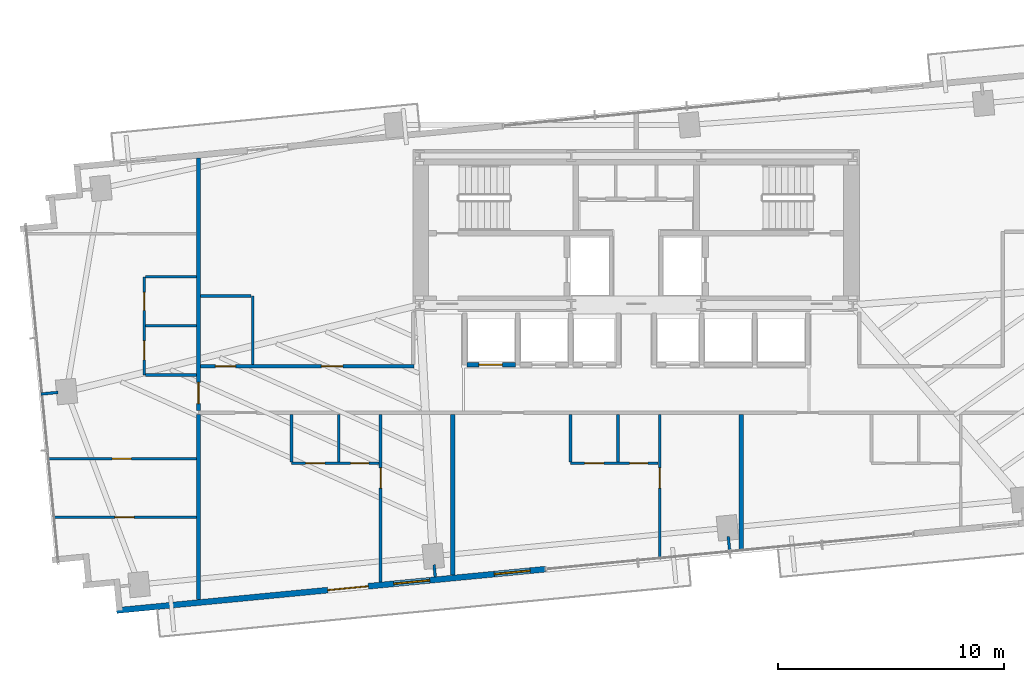
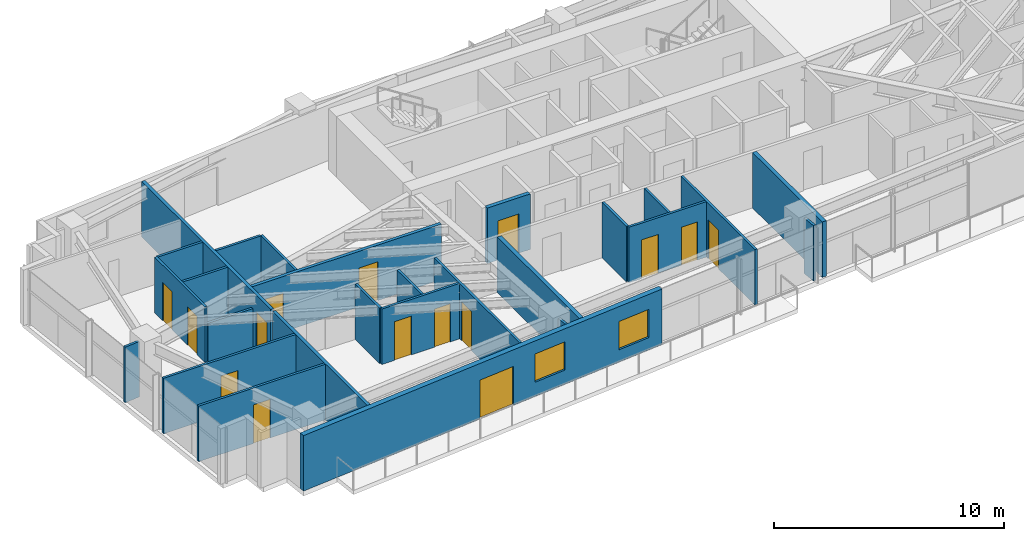
# One storey, part 21 of 27: 26 walls, 15 doors, 2 windows, 17 openings.
"""IFC4 building model written with IfcOpenShell, lengths in metres."""

from ifc_helpers import new_model, si_unit, direction, frame, frame_2d, origin, place, context, subcontext, project, spatial, rectangle, extrude, source, transform, mapped, material, layer, layer_set, type_object, type_shapes, element, fill, save


model = new_model("IFC4")

# Units and contexts
model_context = context("Model", 3, precision=1e-05, world=origin(), true_north=direction((0.0, 1.0)))
body_context = subcontext(model_context, "Body", "Model", "MODEL_VIEW")
ifc_project = project(units=[si_unit("LENGTHUNIT", "METRE"), si_unit("AREAUNIT", "SQUARE_METRE"), si_unit("VOLUMEUNIT", "CUBIC_METRE"), si_unit("PLANEANGLEUNIT", "RADIAN"), si_unit("MASSUNIT", "GRAM", prefix="KILO")], contexts=[model_context])

# Site, building, storey
site_placement = place(None, origin())
site = spatial("IfcSite", under=ifc_project, at=site_placement, CompositionType="ELEMENT")
building_placement = place(site_placement, origin())
building = spatial("IfcBuilding", under=site, at=building_placement, Name="Astriad Promenade Condominiums", CompositionType="ELEMENT")
storey_placement = place(building_placement, frame((0.0, 0.0, 97.0)))
storey = spatial("IfcBuildingStorey", under=building, at=storey_placement, Name="L27", CompositionType="ELEMENT", Elevation=97.0)

# Wall
ifc_material_1 = material(Name="Fire-Rated Gypsum Partition")
ifc_layer_1 = layer(ifc_material_1, 0.159912109375)
ifc_layer_set_1 = layer_set([ifc_layer_1], Name="Fire-Rated Gypsum Partition")
wall_type_1 = type_object("IfcWallType", Name="WALL-CORR-160", PredefinedType="PARTITIONING", material=ifc_layer_set_1)
wall_1_placement = place(storey_placement, frame((16.60009765625, 4.3408203125, 0.0), z_axis=(0.0, 0.0, 1.0), x_axis=(0.0, 1.0, 0.0)))
element("IfcWall", 1, at=wall_1_placement, inside=storey, type_object=wall_type_1, Name="PT-COR-W-L27", PredefinedType="PARTITIONING", context=body_context, shape_type="SweptSolid", body=[
    extrude(rectangle(XDim=8.207275390625, YDim=0.159912109375, at=frame_2d((4.103515625, 0.0))), origin(), (0.0, 0.0, 1.0), 2.93994140625),
])

# Wall, opening, door
wall_2_placement = place(storey_placement, frame((16.60009765625, 12.7119140625, 0.0), z_axis=(0.0, 0.0, 1.0), x_axis=(0.0, 1.0, 0.0)))
wall_2 = element("IfcWall", 2, at=wall_2_placement, inside=storey, type_object=wall_type_1, Name="PT-COR-W-L27-S2", PredefinedType="PARTITIONING", context=body_context, shape_type="SweptSolid", body=[
    extrude(rectangle(XDim=11.195068359375, YDim=0.159912109375, at=frame_2d((5.59765625, 0.0))), origin(), (0.0, 0.0, 1.0), 2.93994140625),
])
opening_1_placement = place(wall_2_placement, frame((0.31201171875, 0.0, 0.0)))
opening_1 = element("IfcOpeningElement", 3, at=opening_1_placement, cuts=wall_2, Name="Opening FD60-APT-095", PredefinedType="OPENING", context=body_context, shape_type="SweptSolid", body=[
    extrude(rectangle(XDim=0.949951171875, YDim=2.06005859375, at=frame_2d((0.47509765625, 1.030029296875))), frame((0.0, 0.08984375, 0.0), z_axis=(0.0, -1.0, 0.0), x_axis=(1.0, 0.0, 0.0)), (0.0, 0.0, 1.0), 0.179931640625),
])
ifc_material_2 = material(Name="Solid-Core Acoustic Timber Residence Entry Door", Category="wood")
door_type_1 = type_object("IfcDoorType", Name="FD60-APT-095", OperationType="NOTDEFINED", PredefinedType="DOOR", material=ifc_material_2)
shared_shape_1 = source(origin(), body_context, "Body", "SweptSolid", [
    extrude(rectangle(XDim=0.949951171875, YDim=2.06005859375, at=frame_2d((0.47509765625, 1.030029296875))), frame((0.0, 0.02490234375, 0.0), z_axis=(0.0, -1.0, 0.0), x_axis=(1.0, 0.0, 0.0)), (0.0, 0.0, 1.0), 0.050048828125),
])
type_shapes(door_type_1, [shared_shape_1])
door_1_placement = place(opening_1_placement, origin())
door_1 = element("IfcDoor", 4, at=door_1_placement, inside=storey, type_object=door_type_1, Name="D-ENT-L27-W1", OperationType="SINGLE_SWING_LEFT", OverallHeight=2.06005859375, OverallWidth=0.949951171875, PredefinedType="DOOR", context=body_context, shape_type="MappedRepresentation", body=[
    mapped(shared_shape_1, transform((0.0, 0.0, 0.0), scale=1.0)),
])
fill(opening_1, door_1)

# Wall, openings, doors
wall_3_placement = place(storey_placement, frame((16.681884765625, 14.679931640625, 0.0), z_axis=(0.0, 0.0, 1.0), x_axis=(1.0, 0.0, 0.0)))
wall_3 = element("IfcWall", 5, at=wall_3_placement, inside=storey, type_object=wall_type_1, Name="PT-FLK-NW-L27", PredefinedType="PARTITIONING", context=body_context, shape_type="SweptSolid", body=[
    extrude(rectangle(XDim=9.47802734375, YDim=0.159912109375, at=frame_2d((4.739013671875, 0.0))), origin(), (0.0, 0.0, 1.0), 2.93994140625),
])
opening_2_placement = place(wall_3_placement, frame((0.66796875, 0.0, 0.0)))
opening_2 = element("IfcOpeningElement", 6, at=opening_2_placement, cuts=wall_3, Name="Opening D-INT-090", PredefinedType="OPENING", context=body_context, shape_type="SweptSolid", body=[
    extrude(rectangle(XDim=0.89990234375, YDim=2.050048828125, at=frame_2d((0.449951171875, 1.02490234375))), frame((0.0, 0.08984375, 0.0), z_axis=(0.0, -1.0, 0.0), x_axis=(1.0, 0.0, 0.0)), (0.0, 0.0, 1.0), 0.179931640625),
])
opening_3_placement = place(wall_3_placement, frame((5.363037109375, 0.0, 0.0)))
opening_3 = element("IfcOpeningElement", 7, at=opening_3_placement, cuts=wall_3, Name="Opening FD60-APT-095", PredefinedType="OPENING", context=body_context, shape_type="SweptSolid", body=[
    extrude(rectangle(XDim=0.949951171875, YDim=2.06005859375, at=frame_2d((0.47509765625, 1.030029296875))), frame((0.0, 0.08984375, 0.0), z_axis=(0.0, -1.0, 0.0), x_axis=(1.0, 0.0, 0.0)), (0.0, 0.0, 1.0), 0.179931640625),
])
door_2_placement = place(opening_3_placement, origin())
door_2 = element("IfcDoor", 8, at=door_2_placement, inside=storey, type_object=door_type_1, Name="D-NWA-L27", OperationType="SINGLE_SWING_LEFT", OverallHeight=2.06005859375, OverallWidth=0.949951171875, PredefinedType="DOOR", context=body_context, shape_type="MappedRepresentation", body=[
    mapped(shared_shape_1, transform((0.0, 0.0, 0.0), scale=1.0)),
])
fill(opening_3, door_2)
ifc_material_3 = material(Name="Painted Solid-Core Timber Bedroom Door", Category="wood")
door_type_2 = type_object("IfcDoorType", Name="D-INT-090", OperationType="NOTDEFINED", PredefinedType="DOOR", material=ifc_material_3)
shared_shape_2 = source(origin(), body_context, "Body", "SweptSolid", [
    extrude(rectangle(XDim=0.89990234375, YDim=2.050048828125, at=frame_2d((0.449951171875, 1.02490234375))), frame((0.0, 0.02490234375, 0.0), z_axis=(0.0, -1.0, 0.0), x_axis=(1.0, 0.0, 0.0)), (0.0, 0.0, 1.0), 0.050048828125),
])
type_shapes(door_type_2, [shared_shape_2])
door_3_placement = place(opening_2_placement, origin())
door_3 = element("IfcDoor", 9, at=door_3_placement, inside=storey, type_object=door_type_2, Name="D-AWC-L27", OperationType="SINGLE_SWING_RIGHT", OverallHeight=2.050048828125, OverallWidth=0.89990234375, PredefinedType="DOOR", context=body_context, shape_type="MappedRepresentation", body=[
    mapped(shared_shape_2, transform((0.0, 0.0, 0.0), scale=1.0)),
])
fill(opening_2, door_3)

# Walls
ifc_material_4 = material(Name="Acoustic Double-Stud Gypsum Partition")
ifc_layer_2 = layer(ifc_material_4, 0.199951171875)
ifc_layer_set_2 = layer_set([ifc_layer_2], Name="Acoustic Double-Stud Gypsum Partition")
wall_type_2 = type_object("IfcWallType", Name="WALL-DEMISING-200", PredefinedType="PARTITIONING", material=ifc_layer_set_2)
wall_4_placement = place(storey_placement, frame((27.8798828125, 5.427001953125, 0.0), z_axis=(0.0, 0.0, 1.0), x_axis=(0.0, 1.0, 0.0)))
element("IfcWall", 10, at=wall_4_placement, inside=storey, type_object=wall_type_2, Name="PT-DEM-S1-L27", PredefinedType="PARTITIONING", context=body_context, shape_type="SweptSolid", body=[
    extrude(rectangle(XDim=7.12109375, YDim=0.199951171875, at=frame_2d((3.560546875, 0.0))), origin(), (0.0, 0.0, 1.0), 2.93994140625),
])
wall_5_placement = place(storey_placement, frame((40.6640625, 6.47509765625, 0.0), z_axis=(0.0, 0.0, 1.0), x_axis=(0.0, 1.0, 0.0)))
element("IfcWall", 11, at=wall_5_placement, inside=storey, type_object=wall_type_2, Name="PT-DEM-S2-L27", PredefinedType="PARTITIONING", context=body_context, shape_type="SweptSolid", body=[
    extrude(rectangle(XDim=6.072998046875, YDim=0.199951171875, at=frame_2d((3.03662109375, 0.0))), origin(), (0.0, 0.0, 1.0), 2.93994140625),
])

# Wall, openings, door, windows
ifc_material_5 = material(Name="Precast concrete C50/60", Category="concrete")
ifc_layer_3 = layer(ifc_material_5, 0.260009765625)
ifc_layer_set_3 = layer_set([ifc_layer_3], Name="Precast concrete C50/60")
wall_type_3 = type_object("IfcWallType", Name="WALL-EXT-TWR-260", PredefinedType="STANDARD", material=ifc_layer_set_3)
wall_6_placement = place(storey_placement, frame((31.99365234375, 5.6904296875, 0.0), z_axis=(0.0, 0.0, 1.0), x_axis=(-0.995396521236, -0.095842399342, 0.0)))
wall_6 = element("IfcWall", 12, at=wall_6_placement, inside=storey, type_object=wall_type_3, Name="W-EXT-L27-S2", PredefinedType="STANDARD", context=body_context, shape_type="SweptSolid", body=[
    extrude(rectangle(XDim=19.10986328125, YDim=0.260009765625, at=frame_2d((9.554931640625, 0.0))), origin(), (0.0, 0.0, 1.0), 2.93994140625),
])
opening_4_placement = place(wall_6_placement, frame((7.909912109375, 0.0, 0.0)))
opening_4 = element("IfcOpeningElement", 13, at=opening_4_placement, cuts=wall_6, Name="Opening BD-1822-SLD", PredefinedType="OPENING", context=body_context, shape_type="SweptSolid", body=[
    extrude(rectangle(XDim=1.800048828125, YDim=2.06005859375, at=frame_2d((0.89990234375, 1.030029296875))), frame((0.0, 0.139892578125, 0.0), z_axis=(0.0, -1.0, 0.0), x_axis=(1.0, 0.0, 0.0)), (0.0, 0.0, 1.0), 0.280029296875),
])
opening_5_placement = place(wall_6_placement, frame((0.699951171875, 0.0, 0.64990234375)))
opening_5 = element("IfcOpeningElement", 14, at=opening_5_placement, cuts=wall_6, Name="Opening WIN-TWR-1620", PredefinedType="OPENING", context=body_context, shape_type="SweptSolid", body=[
    extrude(rectangle(XDim=1.60009765625, YDim=1.5, at=frame_2d((0.800048828125, 0.75))), frame((0.0, 0.139892578125, 0.0), z_axis=(0.0, -1.0, 0.0), x_axis=(1.0, 0.0, 0.0)), (0.0, 0.0, 1.0), 0.280029296875),
])
opening_6_placement = place(wall_6_placement, frame((5.1669921875, 0.0, 0.75)))
opening_6 = element("IfcOpeningElement", 15, at=opening_6_placement, cuts=wall_6, Name="Opening WIN-TWR-1620", PredefinedType="OPENING", context=body_context, shape_type="SweptSolid", body=[
    extrude(rectangle(XDim=1.60009765625, YDim=1.5, at=frame_2d((0.800048828125, 0.75))), frame((0.0, 0.139892578125, 0.0), z_axis=(0.0, -1.0, 0.0), x_axis=(1.0, 0.0, 0.0)), (0.0, 0.0, 1.0), 0.280029296875),
])
ifc_material_6 = material(Name="Thermally Broken Aluminium Sliding Balcony Door", Category="aluminium")
door_type_3 = type_object("IfcDoorType", Name="BD-1822-SLD", OperationType="NOTDEFINED", PredefinedType="DOOR", material=ifc_material_6)
shared_shape_3 = source(origin(), body_context, "Body", "SweptSolid", [
    extrude(rectangle(XDim=1.800048828125, YDim=2.06005859375, at=frame_2d((0.89990234375, 1.030029296875))), frame((0.0, 0.02490234375, 0.0), z_axis=(0.0, -1.0, 0.0), x_axis=(1.0, 0.0, 0.0)), (0.0, 0.0, 1.0), 0.050048828125),
])
type_shapes(door_type_3, [shared_shape_3])
door_4_placement = place(opening_4_placement, origin())
door_4 = element("IfcDoor", 16, at=door_4_placement, inside=storey, type_object=door_type_3, Name="BD-L27-SW", OperationType="SLIDING_TO_LEFT", OverallHeight=2.06005859375, OverallWidth=1.800048828125, PredefinedType="DOOR", context=body_context, shape_type="MappedRepresentation", body=[
    mapped(shared_shape_3, transform((0.0, 0.0, 0.0), scale=1.0)),
])
fill(opening_4, door_4)
ifc_material_7 = material(Name="Dark Tinted Triple-Glazed Aluminium Window", Category="aluminium")
window_type = type_object("IfcWindowType", Name="WIN-TWR-1620", PartitioningType="SINGLE_PANEL", PredefinedType="WINDOW", material=ifc_material_7)
shared_shape_4 = source(origin(), body_context, "Body", "SweptSolid", [
    extrude(rectangle(XDim=1.60009765625, YDim=1.5, at=frame_2d((0.800048828125, 0.75))), frame((0.0, 0.030029296875, 0.0), z_axis=(0.0, -1.0, 0.0), x_axis=(1.0, 0.0, 0.0)), (0.0, 0.0, 1.0), 0.06005859375),
])
type_shapes(window_type, [shared_shape_4])
window_1_placement = place(opening_5_placement, origin())
window_1 = element("IfcWindow", 17, at=window_1_placement, inside=storey, type_object=window_type, Name="WIN-L27-SW", OverallHeight=1.5, OverallWidth=1.60009765625, PartitioningType="SINGLE_PANEL", PredefinedType="WINDOW", context=body_context, shape_type="MappedRepresentation", body=[
    mapped(shared_shape_4, transform((0.0, 0.0, 0.0), scale=1.0)),
])
fill(opening_5, window_1)
window_2_placement = place(opening_6_placement, origin())
window_2 = element("IfcWindow", 18, at=window_2_placement, inside=storey, type_object=window_type, Name="WIN-DW-L27-S1-BD1", OverallHeight=1.5, OverallWidth=1.60009765625, PartitioningType="SINGLE_PANEL", PredefinedType="WINDOW", context=body_context, shape_type="MappedRepresentation", body=[
    mapped(shared_shape_4, transform((0.0, 0.0, 0.0), scale=1.0)),
])
fill(opening_6, window_2)

# Wall, opening, door
ifc_material_8 = material(Name="Acoustic Metal-Stud Gypsum Partition")
ifc_layer_4 = layer(ifc_material_8, 0.1201171875)
ifc_layer_set_4 = layer_set([ifc_layer_4], Name="Acoustic Metal-Stud Gypsum Partition")
wall_type_4 = type_object("IfcWallType", Name="WALL-PART-120", PredefinedType="PARTITIONING", material=ifc_layer_set_4)
wall_7_placement = place(storey_placement, frame((24.672119140625, 5.117919921875, 0.0), z_axis=(0.0, 0.0, 1.0), x_axis=(0.0, 1.0, 0.0)))
wall_7 = element("IfcWall", 19, at=wall_7_placement, inside=storey, type_object=wall_type_4, Name="PT-L27-S1-BD1", PredefinedType="PARTITIONING", context=body_context, shape_type="SweptSolid", body=[
    extrude(rectangle(XDim=7.43017578125, YDim=0.1201171875, at=frame_2d((3.715087890625, 0.0))), origin(), (0.0, 0.0, 1.0), 2.93994140625),
])
opening_7_placement = place(wall_7_placement, frame((4.162109375, 0.0, 0.0)))
opening_7 = element("IfcOpeningElement", 20, at=opening_7_placement, cuts=wall_7, Name="Opening D-INT-090", PredefinedType="OPENING", context=body_context, shape_type="SweptSolid", body=[
    extrude(rectangle(XDim=0.89990234375, YDim=2.050048828125, at=frame_2d((0.449951171875, 1.02490234375))), frame((0.0, 0.070068359375, 0.0), z_axis=(0.0, -1.0, 0.0), x_axis=(1.0, 0.0, 0.0)), (0.0, 0.0, 1.0), 0.14013671875),
])
door_5_placement = place(opening_7_placement, origin())
door_5 = element("IfcDoor", 21, at=door_5_placement, inside=storey, type_object=door_type_2, Name="D-BD1-L27-S1", OperationType="SINGLE_SWING_RIGHT", OverallHeight=2.050048828125, OverallWidth=0.89990234375, PredefinedType="DOOR", context=body_context, shape_type="MappedRepresentation", body=[
    mapped(shared_shape_2, transform((0.0, 0.0, 0.0), scale=1.0)),
])
fill(opening_7, door_5)

# Wall, openings, doors
wall_8_placement = place(storey_placement, frame((20.721923828125, 10.3798828125, 0.0), z_axis=(0.0, 0.0, 1.0), x_axis=(1.0, 0.0, 0.0)))
wall_8 = element("IfcWall", 22, at=wall_8_placement, inside=storey, type_object=wall_type_4, Name="PT-L27-S1-PS", PredefinedType="PARTITIONING", context=body_context, shape_type="SweptSolid", body=[
    extrude(rectangle(XDim=3.88818359375, YDim=0.1201171875, at=frame_2d((1.944091796875, 0.0))), origin(), (0.0, 0.0, 1.0), 2.93994140625),
])
opening_8_placement = place(wall_8_placement, frame((0.625, 0.0, 0.0)))
opening_8 = element("IfcOpeningElement", 23, at=opening_8_placement, cuts=wall_8, Name="Opening D-INT-085", PredefinedType="OPENING", context=body_context, shape_type="SweptSolid", body=[
    extrude(rectangle(XDim=0.85009765625, YDim=2.050048828125, at=frame_2d((0.425048828125, 1.02490234375))), frame((0.0, 0.070068359375, 0.0), z_axis=(0.0, -1.0, 0.0), x_axis=(1.0, 0.0, 0.0)), (0.0, 0.0, 1.0), 0.14013671875),
])
opening_9_placement = place(wall_8_placement, frame((2.625, 0.0, 0.0)))
opening_9 = element("IfcOpeningElement", 24, at=opening_9_placement, cuts=wall_8, Name="Opening D-WET-080", PredefinedType="OPENING", context=body_context, shape_type="SweptSolid", body=[
    extrude(rectangle(XDim=0.800048828125, YDim=2.02001953125, at=frame_2d((0.39990234375, 1.010009765625))), frame((0.0, 0.070068359375, 0.0), z_axis=(0.0, -1.0, 0.0), x_axis=(1.0, 0.0, 0.0)), (0.0, 0.0, 1.0), 0.14013671875),
])
ifc_material_9 = material(Name="Moisture-Resistant Timber Bathroom Door", Category="wood")
door_type_4 = type_object("IfcDoorType", Name="D-WET-080", OperationType="NOTDEFINED", PredefinedType="DOOR", material=ifc_material_9)
shared_shape_5 = source(origin(), body_context, "Body", "SweptSolid", [
    extrude(rectangle(XDim=0.800048828125, YDim=2.02001953125, at=frame_2d((0.39990234375, 1.010009765625))), frame((0.0, 0.02490234375, 0.0), z_axis=(0.0, -1.0, 0.0), x_axis=(1.0, 0.0, 0.0)), (0.0, 0.0, 1.0), 0.050048828125),
])
type_shapes(door_type_4, [shared_shape_5])
door_6_placement = place(opening_9_placement, origin())
door_6 = element("IfcDoor", 25, at=door_6_placement, inside=storey, type_object=door_type_4, Name="D-BTH-L27-S1", OperationType="SINGLE_SWING_RIGHT", OverallHeight=2.02001953125, OverallWidth=0.800048828125, PredefinedType="DOOR", context=body_context, shape_type="MappedRepresentation", body=[
    mapped(shared_shape_5, transform((0.0, 0.0, 0.0), scale=1.0)),
])
fill(opening_9, door_6)
ifc_material_10 = material(Name="Painted Solid-Core Timber Room Door", Category="wood")
door_type_5 = type_object("IfcDoorType", Name="D-INT-085", OperationType="NOTDEFINED", PredefinedType="DOOR", material=ifc_material_10)
shared_shape_6 = source(origin(), body_context, "Body", "SweptSolid", [
    extrude(rectangle(XDim=0.85009765625, YDim=2.050048828125, at=frame_2d((0.425048828125, 1.02490234375))), frame((0.0, 0.02490234375, 0.0), z_axis=(0.0, -1.0, 0.0), x_axis=(1.0, 0.0, 0.0)), (0.0, 0.0, 1.0), 0.050048828125),
])
type_shapes(door_type_5, [shared_shape_6])
door_7_placement = place(opening_8_placement, origin())
door_7 = element("IfcDoor", 26, at=door_7_placement, inside=storey, type_object=door_type_5, Name="D-KIT-L27-S1", OperationType="SINGLE_SWING_LEFT", OverallHeight=2.050048828125, OverallWidth=0.85009765625, PredefinedType="DOOR", context=body_context, shape_type="MappedRepresentation", body=[
    mapped(shared_shape_6, transform((0.0, 0.0, 0.0), scale=1.0)),
])
fill(opening_8, door_7)

# Walls
for number, where, z_axis, x_axis, name in (
    (27, (22.822021484375, 10.44189453125, 0.0), (0.0, 0.0, 1.0), (0.0, 1.0, 0.0), "PT-L27-S1-PBK"),
    (28, (20.721923828125, 10.44189453125, 0.0), (0.0, 0.0, 1.0), (0.0, 1.0, 0.0), "PT-L27-S1-PKW"),
):
    element("IfcWall", number, at=place(storey_placement, frame(where, z_axis=z_axis, x_axis=x_axis)), inside=storey, type_object=wall_type_4, Name=name, PredefinedType="PARTITIONING", context=body_context, shape_type="SweptSolid", body=[
        extrude(rectangle(XDim=2.106201171875, YDim=0.1201171875, at=frame_2d((1.05322265625, 0.0))), origin(), (0.0, 0.0, 1.0), 2.93994140625),
    ])

# Wall, opening, door
wall_9_placement = place(storey_placement, frame((37.0400390625, 6.126220703125, 0.0), z_axis=(0.0, 0.0, 1.0), x_axis=(0.0, 1.0, 0.0)))
wall_9 = element("IfcWall", 29, at=wall_9_placement, inside=storey, type_object=wall_type_4, Name="PT-L27-S2-BD1", PredefinedType="PARTITIONING", context=body_context, shape_type="SweptSolid", body=[
    extrude(rectangle(XDim=6.421875, YDim=0.1201171875, at=frame_2d((3.2109375, 0.0))), origin(), (0.0, 0.0, 1.0), 2.93994140625),
])
opening_10_placement = place(wall_9_placement, frame((3.15380859375, 0.0, 0.0)))
opening_10 = element("IfcOpeningElement", 30, at=opening_10_placement, cuts=wall_9, Name="Opening D-INT-090", PredefinedType="OPENING", context=body_context, shape_type="SweptSolid", body=[
    extrude(rectangle(XDim=0.89990234375, YDim=2.050048828125, at=frame_2d((0.449951171875, 1.02490234375))), frame((0.0, 0.070068359375, 0.0), z_axis=(0.0, -1.0, 0.0), x_axis=(1.0, 0.0, 0.0)), (0.0, 0.0, 1.0), 0.14013671875),
])
door_8_placement = place(opening_10_placement, origin())
door_8 = element("IfcDoor", 31, at=door_8_placement, inside=storey, type_object=door_type_2, Name="D-BD1-L27-S2", OperationType="SINGLE_SWING_RIGHT", OverallHeight=2.050048828125, OverallWidth=0.89990234375, PredefinedType="DOOR", context=body_context, shape_type="MappedRepresentation", body=[
    mapped(shared_shape_2, transform((0.0, 0.0, 0.0), scale=1.0)),
])
fill(opening_10, door_8)

# Wall, openings, doors
wall_10_placement = place(storey_placement, frame((33.090087890625, 10.3798828125, 0.0), z_axis=(0.0, 0.0, 1.0), x_axis=(1.0, 0.0, 0.0)))
wall_10 = element("IfcWall", 32, at=wall_10_placement, inside=storey, type_object=wall_type_4, Name="PT-L27-S2-PS", PredefinedType="PARTITIONING", context=body_context, shape_type="SweptSolid", body=[
    extrude(rectangle(XDim=3.887939453125, YDim=0.1201171875, at=frame_2d((1.94384765625, 0.0))), origin(), (0.0, 0.0, 1.0), 2.93994140625),
])
opening_11_placement = place(wall_10_placement, frame((0.625, 0.0, 0.0)))
opening_11 = element("IfcOpeningElement", 33, at=opening_11_placement, cuts=wall_10, Name="Opening D-INT-085", PredefinedType="OPENING", context=body_context, shape_type="SweptSolid", body=[
    extrude(rectangle(XDim=0.85009765625, YDim=2.050048828125, at=frame_2d((0.425048828125, 1.02490234375))), frame((0.0, 0.070068359375, 0.0), z_axis=(0.0, -1.0, 0.0), x_axis=(1.0, 0.0, 0.0)), (0.0, 0.0, 1.0), 0.14013671875),
])
opening_12_placement = place(wall_10_placement, frame((2.625, 0.0, 0.0)))
opening_12 = element("IfcOpeningElement", 34, at=opening_12_placement, cuts=wall_10, Name="Opening D-WET-080", PredefinedType="OPENING", context=body_context, shape_type="SweptSolid", body=[
    extrude(rectangle(XDim=0.800048828125, YDim=2.02001953125, at=frame_2d((0.39990234375, 1.010009765625))), frame((0.0, 0.070068359375, 0.0), z_axis=(0.0, -1.0, 0.0), x_axis=(1.0, 0.0, 0.0)), (0.0, 0.0, 1.0), 0.14013671875),
])
door_9_placement = place(opening_12_placement, origin())
door_9 = element("IfcDoor", 35, at=door_9_placement, inside=storey, type_object=door_type_4, Name="D-BTH-L27-S2", OperationType="SINGLE_SWING_RIGHT", OverallHeight=2.02001953125, OverallWidth=0.800048828125, PredefinedType="DOOR", context=body_context, shape_type="MappedRepresentation", body=[
    mapped(shared_shape_5, transform((0.0, 0.0, 0.0), scale=1.0)),
])
fill(opening_12, door_9)
door_10_placement = place(opening_11_placement, origin())
door_10 = element("IfcDoor", 36, at=door_10_placement, inside=storey, type_object=door_type_5, Name="D-KIT-L27-S2", OperationType="SINGLE_SWING_LEFT", OverallHeight=2.050048828125, OverallWidth=0.85009765625, PredefinedType="DOOR", context=body_context, shape_type="MappedRepresentation", body=[
    mapped(shared_shape_6, transform((0.0, 0.0, 0.0), scale=1.0)),
])
fill(opening_11, door_10)

# Walls
for number, where, z_axis, x_axis, name in (
    (37, (35.18994140625, 10.44189453125, 0.0), (0.0, 0.0, 1.0), (0.0, 1.0, 0.0), "PT-L27-S2-PBK"),
    (38, (33.090087890625, 10.44189453125, 0.0), (0.0, 0.0, 1.0), (0.0, 1.0, 0.0), "PT-L27-S2-PKW"),
):
    element("IfcWall", number, at=place(storey_placement, frame(where, z_axis=z_axis, x_axis=x_axis)), inside=storey, type_object=wall_type_4, Name=name, PredefinedType="PARTITIONING", context=body_context, shape_type="SweptSolid", body=[
        extrude(rectangle(XDim=2.106201171875, YDim=0.1201171875, at=frame_2d((1.05322265625, 0.0))), origin(), (0.0, 0.0, 1.0), 2.93994140625),
    ])

# Wall, openings, doors
wall_11_placement = place(storey_placement, frame((14.199951171875, 14.299072265625, 0.0), z_axis=(0.0, 0.0, 1.0), x_axis=(0.0, 1.0, 0.0)))
wall_11 = element("IfcWall", 39, at=wall_11_placement, inside=storey, type_object=wall_type_4, Name="PT-L27-W1-PV", PredefinedType="PARTITIONING", context=body_context, shape_type="SweptSolid", body=[
    extrude(rectangle(XDim=4.349853515625, YDim=0.1201171875, at=frame_2d((2.1748046875, 0.0))), origin(), (0.0, 0.0, 1.0), 2.93994140625),
])
opening_13_placement = place(wall_11_placement, frame((0.662109375, 0.0, 0.0)))
opening_13 = element("IfcOpeningElement", 40, at=opening_13_placement, cuts=wall_11, Name="Opening D-INT-085", PredefinedType="OPENING", context=body_context, shape_type="SweptSolid", body=[
    extrude(rectangle(XDim=0.85009765625, YDim=2.050048828125, at=frame_2d((0.425048828125, 1.02490234375))), frame((0.0, 0.070068359375, 0.0), z_axis=(0.0, -1.0, 0.0), x_axis=(1.0, 0.0, 0.0)), (0.0, 0.0, 1.0), 0.14013671875),
])
opening_14_placement = place(wall_11_placement, frame((2.863037109375, 0.0, 0.0)))
opening_14 = element("IfcOpeningElement", 41, at=opening_14_placement, cuts=wall_11, Name="Opening D-WET-080", PredefinedType="OPENING", context=body_context, shape_type="SweptSolid", body=[
    extrude(rectangle(XDim=0.800048828125, YDim=2.02001953125, at=frame_2d((0.39990234375, 1.010009765625))), frame((0.0, 0.070068359375, 0.0), z_axis=(0.0, -1.0, 0.0), x_axis=(1.0, 0.0, 0.0)), (0.0, 0.0, 1.0), 0.14013671875),
])
door_11_placement = place(opening_14_placement, origin())
door_11 = element("IfcDoor", 42, at=door_11_placement, inside=storey, type_object=door_type_4, Name="D-BTH-L27-W1", OperationType="SINGLE_SWING_LEFT", OverallHeight=2.02001953125, OverallWidth=0.800048828125, PredefinedType="DOOR", context=body_context, shape_type="MappedRepresentation", body=[
    mapped(shared_shape_5, transform((0.0, 0.0, 0.0), scale=1.0)),
])
fill(opening_14, door_11)
door_12_placement = place(opening_13_placement, origin())
door_12 = element("IfcDoor", 43, at=door_12_placement, inside=storey, type_object=door_type_5, Name="D-KIT-L27-W1", OperationType="SINGLE_SWING_RIGHT", OverallHeight=2.050048828125, OverallWidth=0.85009765625, PredefinedType="DOOR", context=body_context, shape_type="MappedRepresentation", body=[
    mapped(shared_shape_6, transform((0.0, 0.0, 0.0), scale=1.0)),
])
fill(opening_13, door_12)

# Walls
wall_12_placement = place(storey_placement, frame((14.261962890625, 16.47412109375, 0.0), z_axis=(0.0, 0.0, 1.0), x_axis=(1.0, 0.0, 0.0)))
element("IfcWall", 44, at=wall_12_placement, inside=storey, type_object=wall_type_4, Name="PT-L27-W1-PM", PredefinedType="PARTITIONING", context=body_context, shape_type="SweptSolid", body=[
    extrude(rectangle(XDim=2.256103515625, YDim=0.1201171875, at=frame_2d((1.1279296875, 0.0))), origin(), (0.0, 0.0, 1.0), 2.93994140625),
])
wall_13_placement = place(storey_placement, frame((14.261962890625, 14.299072265625, 0.0), z_axis=(0.0, 0.0, 1.0), x_axis=(1.0, 0.0, 0.0)))
element("IfcWall", 45, at=wall_13_placement, inside=storey, type_object=wall_type_4, Name="PT-L27-W1-PS", PredefinedType="PARTITIONING", context=body_context, shape_type="SweptSolid", body=[
    extrude(rectangle(XDim=2.256103515625, YDim=0.1201171875, at=frame_2d((1.1279296875, 0.0))), origin(), (0.0, 0.0, 1.0), 2.06298828125),
])
wall_14_placement = place(storey_placement, frame((14.261962890625, 18.64892578125, 0.0), z_axis=(0.0, 0.0, 1.0), x_axis=(1.0, 0.0, 0.0)))
element("IfcWall", 46, at=wall_14_placement, inside=storey, type_object=wall_type_4, Name="PT-L27-W1-PN", PredefinedType="PARTITIONING", context=body_context, shape_type="SweptSolid", body=[
    extrude(rectangle(XDim=2.256103515625, YDim=0.1201171875, at=frame_2d((1.1279296875, 0.0))), origin(), (0.0, 0.0, 1.0), 2.93994140625),
])

# Wall, opening, door
wall_15_placement = place(storey_placement, frame((10.14208984375, 7.9951171875, 0.0), z_axis=(0.0, 0.0, 1.0), x_axis=(1.0, 0.0, 0.0)))
wall_15 = element("IfcWall", 47, at=wall_15_placement, inside=storey, type_object=wall_type_4, Name="PT-L27-W1-WDS1", PredefinedType="PARTITIONING", context=body_context, shape_type="SweptSolid", body=[
    extrude(rectangle(XDim=6.3759765625, YDim=0.1201171875, at=frame_2d((3.18798828125, 0.0))), origin(), (0.0, 0.0, 1.0), 2.93994140625),
])
opening_15_placement = place(wall_15_placement, frame((2.7568359375, 0.0, 0.0)))
opening_15 = element("IfcOpeningElement", 48, at=opening_15_placement, cuts=wall_15, Name="Opening D-INT-085", PredefinedType="OPENING", context=body_context, shape_type="SweptSolid", body=[
    extrude(rectangle(XDim=0.85009765625, YDim=2.050048828125, at=frame_2d((0.425048828125, 1.02490234375))), frame((0.0, 0.070068359375, 0.0), z_axis=(0.0, -1.0, 0.0), x_axis=(1.0, 0.0, 0.0)), (0.0, 0.0, 1.0), 0.14013671875),
])
door_13_placement = place(opening_15_placement, origin())
door_13 = element("IfcDoor", 49, at=door_13_placement, inside=storey, type_object=door_type_5, Name="D-WDS1-L27-W1", OperationType="SINGLE_SWING_LEFT", OverallHeight=2.050048828125, OverallWidth=0.85009765625, PredefinedType="DOOR", context=body_context, shape_type="MappedRepresentation", body=[
    mapped(shared_shape_6, transform((0.0, 0.0, 0.0), scale=1.0)),
])
fill(opening_15, door_13)

wall_16_placement = place(storey_placement, frame((9.89306640625, 10.58203125, 0.0), z_axis=(0.0, 0.0, 1.0), x_axis=(1.0, 0.0, 0.0)))
wall_16 = element("IfcWall", 50, at=wall_16_placement, inside=storey, type_object=wall_type_4, Name="PT-L27-W1-WDS2", PredefinedType="PARTITIONING", context=body_context, shape_type="SweptSolid", body=[
    extrude(rectangle(XDim=6.625, YDim=0.1201171875, at=frame_2d((3.3125, 0.0))), origin(), (0.0, 0.0, 1.0), 2.93994140625),
])
opening_16_placement = place(wall_16_placement, frame((2.880859375, 0.0, 0.0)))
opening_16 = element("IfcOpeningElement", 51, at=opening_16_placement, cuts=wall_16, Name="Opening D-INT-085", PredefinedType="OPENING", context=body_context, shape_type="SweptSolid", body=[
    extrude(rectangle(XDim=0.85009765625, YDim=2.050048828125, at=frame_2d((0.425048828125, 1.02490234375))), frame((0.0, 0.070068359375, 0.0), z_axis=(0.0, -1.0, 0.0), x_axis=(1.0, 0.0, 0.0)), (0.0, 0.0, 1.0), 0.14013671875),
])
door_14_placement = place(opening_16_placement, origin())
door_14 = element("IfcDoor", 52, at=door_14_placement, inside=storey, type_object=door_type_5, Name="D-WDS2-L27-W1", OperationType="SINGLE_SWING_RIGHT", OverallHeight=2.050048828125, OverallWidth=0.85009765625, PredefinedType="DOOR", context=body_context, shape_type="MappedRepresentation", body=[
    mapped(shared_shape_6, transform((0.0, 0.0, 0.0), scale=1.0)),
])
fill(opening_16, door_14)

# Walls
wall_17_placement = place(storey_placement, frame((19.0, 14.761962890625, 0.0), z_axis=(0.0, 0.0, 1.0), x_axis=(0.0, 1.0, 0.0)))
element("IfcWall", 53, at=wall_17_placement, inside=storey, type_object=wall_type_4, Name="PT-AWC-E-L27", PredefinedType="PARTITIONING", context=body_context, shape_type="SweptSolid", body=[
    extrude(rectangle(XDim=3.0380859375, YDim=0.1201171875, at=frame_2d((1.51904296875, 0.0))), origin(), (0.0, 0.0, 1.0), 2.93994140625),
])
wall_18_placement = place(storey_placement, frame((16.681884765625, 17.800048828125, 0.0), z_axis=(0.0, 0.0, 1.0), x_axis=(1.0, 0.0, 0.0)))
element("IfcWall", 54, at=wall_18_placement, inside=storey, type_object=wall_type_4, Name="PT-AWC-N-L27", PredefinedType="PARTITIONING", context=body_context, shape_type="SweptSolid", body=[
    extrude(rectangle(XDim=2.256103515625, YDim=0.1201171875, at=frame_2d((1.1279296875, 0.0))), origin(), (0.0, 0.0, 1.0), 2.93994140625),
])
wall_19_placement = place(storey_placement, frame((27.0419921875, 5.88671875, 0.0), z_axis=(0.0, 0.0, 1.0), x_axis=(0.096222656154, -0.995359834654, 0.0)))
element("IfcWall", 55, at=wall_19_placement, inside=storey, type_object=wall_type_4, Name="PT-PIL-L27-PC02-9", PredefinedType="PARTITIONING", context=body_context, shape_type="SweptSolid", body=[
    extrude(rectangle(XDim=0.537841796875, YDim=0.1201171875, at=frame_2d((0.26904296875, 0.0))), origin(), (0.0, 0.0, 1.0), 2.93994140625),
])
wall_20_placement = place(storey_placement, frame((40.081787109375, 7.142333984375, 0.0), z_axis=(0.0, 0.0, 1.0), x_axis=(0.095944965663, -0.995386640238, 0.0)))
element("IfcWall", 56, at=wall_20_placement, inside=storey, type_object=wall_type_4, Name="PT-PIL-L27-PC03-10", PredefinedType="PARTITIONING", context=body_context, shape_type="SweptSolid", body=[
    extrude(rectangle(XDim=0.72021484375, YDim=0.1201171875, at=frame_2d((0.360107421875, 0.0))), origin(), (0.0, 0.0, 1.0), 2.93994140625),
])
wall_21_placement = place(storey_placement, frame((10.373291015625, 13.5244140625, 0.0), z_axis=(0.0, 0.0, 1.0), x_axis=(-0.995377786728, -0.096036772582, 0.0)))
element("IfcWall", 57, at=wall_21_placement, inside=storey, type_object=wall_type_4, Name="PT-PIL-L27-PC11-18", PredefinedType="PARTITIONING", context=body_context, shape_type="SweptSolid", body=[
    extrude(rectangle(XDim=0.760009765625, YDim=0.1201171875, at=frame_2d((0.3798828125, 0.0))), origin(), (0.0, 0.0, 1.0), 2.93994140625),
])

# Wall, opening, door
ifc_material_11 = material(Name="Gypsum Shaftliner Assembly")
ifc_layer_5 = layer(ifc_material_11, 0.199951171875)
ifc_layer_set_5 = layer_set([ifc_layer_5], Name="Gypsum Shaftliner Assembly")
wall_type_5 = type_object("IfcWallType", Name="WALL-SHAFT-200", PredefinedType="PARTITIONING", material=ifc_layer_set_5)
wall_22_placement = place(storey_placement, frame((28.501953125, 14.75, 0.0), z_axis=(0.0, 0.0, 1.0), x_axis=(1.0, 0.0, 0.0)))
wall_22 = element("IfcWall", 58, at=wall_22_placement, inside=storey, type_object=wall_type_5, Name="PL-L-FRT-L27", PredefinedType="PARTITIONING", context=body_context, shape_type="SweptSolid", body=[
    extrude(rectangle(XDim=2.14599609375, YDim=0.199951171875, at=frame_2d((1.072998046875, 0.0))), origin(), (0.0, 0.0, 1.0), 2.93994140625),
])
opening_17_placement = place(wall_22_placement, frame((0.52294921875, 0.0, 0.0)))
opening_17 = element("IfcOpeningElement", 59, at=opening_17_placement, cuts=wall_22, Name="Opening LD-PL-10522", PredefinedType="OPENING", context=body_context, shape_type="SweptSolid", body=[
    extrude(rectangle(XDim=1.050048828125, YDim=2.080078125, at=frame_2d((0.52490234375, 1.0400390625))), frame((0.0, 0.10986328125, 0.0), z_axis=(0.0, -1.0, 0.0), x_axis=(1.0, 0.0, 0.0)), (0.0, 0.0, 1.0), 0.219970703125),
])
ifc_material_12 = material(Name="Brushed Bronze Passenger Elevator Landing Door")
door_type_6 = type_object("IfcDoorType", Name="LD-PL-10522", OperationType="NOTDEFINED", PredefinedType="DOOR", material=ifc_material_12)
shared_shape_7 = source(origin(), body_context, "Body", "SweptSolid", [
    extrude(rectangle(XDim=1.050048828125, YDim=2.080078125, at=frame_2d((0.52490234375, 1.0400390625))), frame((0.0, 0.02490234375, 0.0), z_axis=(0.0, -1.0, 0.0), x_axis=(1.0, 0.0, 0.0)), (0.0, 0.0, 1.0), 0.050048828125),
])
type_shapes(door_type_6, [shared_shape_7])
door_15_placement = place(opening_17_placement, origin())
door_15 = element("IfcDoor", 60, at=door_15_placement, inside=storey, type_object=door_type_6, Name="Elevator Landing Door PL-L1 (L27)", OperationType="SLIDING_TO_LEFT", OverallHeight=2.080078125, OverallWidth=1.050048828125, PredefinedType="DOOR", context=body_context, shape_type="MappedRepresentation", body=[
    mapped(shared_shape_7, transform((0.0, 0.0, 0.0), scale=1.0)),
])
fill(opening_17, door_15)

save(model, "model.ifc")
